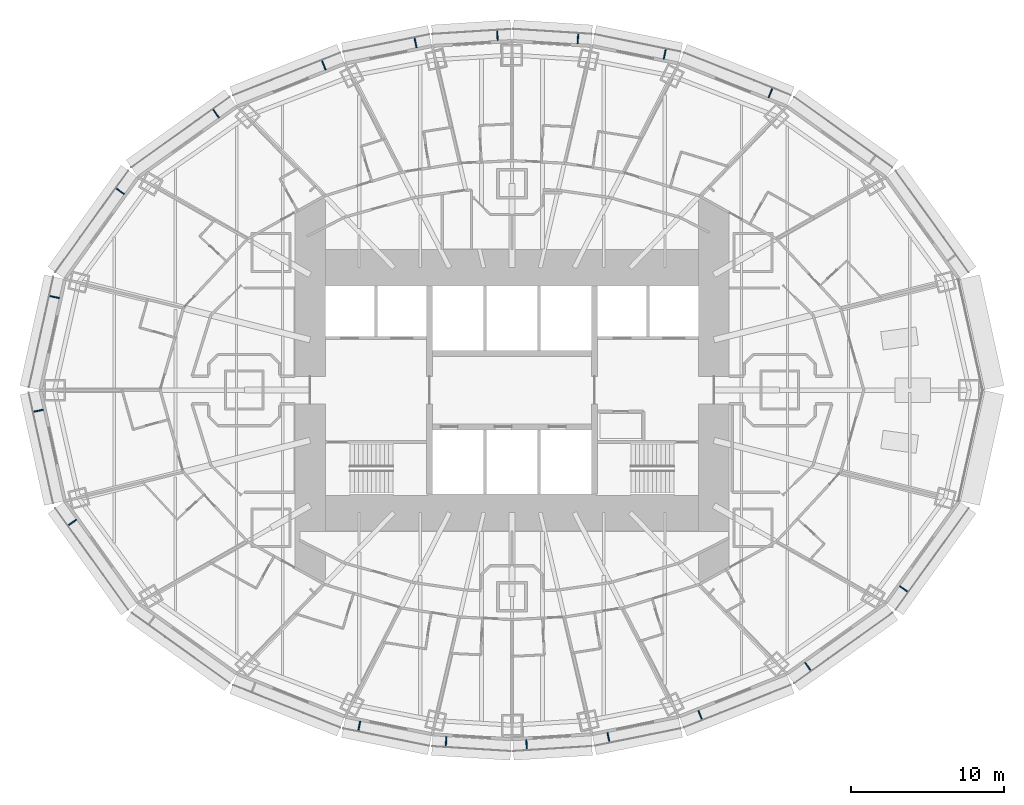
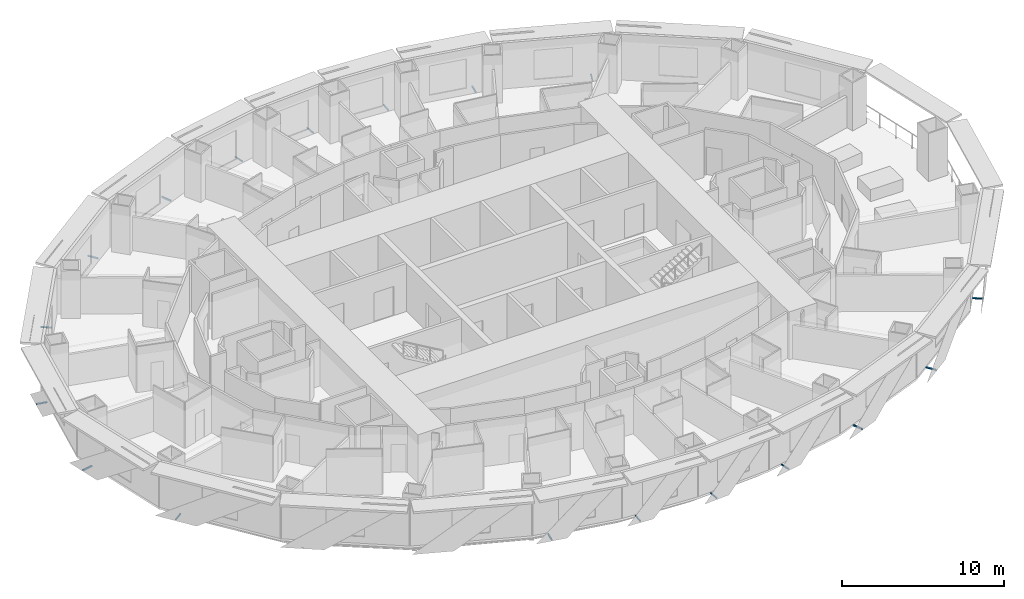
# One storey, part 12 of 17: 18 discrete accessories.
"""IFC4 building model written with IfcOpenShell, lengths in metres."""

from ifc_helpers import new_model, si_unit, direction, frame, origin, origin_2d, place, context, subcontext, project, spatial, rectangle, extrude, element, save


model = new_model("IFC4")

# Units and contexts
model_context = context("Model", 3, precision=1e-05, world=origin(), true_north=direction((0.0, 1.0)))
body_context = subcontext(model_context, "Body", "Model", "MODEL_VIEW")
ifc_project = project(units=[si_unit("LENGTHUNIT", "METRE"), si_unit("AREAUNIT", "SQUARE_METRE"), si_unit("VOLUMEUNIT", "CUBIC_METRE"), si_unit("PLANEANGLEUNIT", "RADIAN"), si_unit("MASSUNIT", "GRAM", prefix="KILO")], contexts=[model_context])

# Site, building, storey
site_placement = place(None, origin())
site = spatial("IfcSite", under=ifc_project, at=site_placement, CompositionType="ELEMENT")
building_placement = place(site_placement, origin())
building = spatial("IfcBuilding", under=site, at=building_placement, Name="Lantaw Convention Tower", CompositionType="ELEMENT")
storey_placement = place(building_placement, frame((0.0, 0.0, 69.39990234375)))
storey = spatial("IfcBuildingStorey", under=building, at=storey_placement, Name="L15", CompositionType="ELEMENT", Elevation=69.39990234375)

# Discrete accessories
for number, where, z_axis, x_axis, name in (
    (1, (16.898193359375, 19.4345703125, -0.114990234375), (0.0, 0.0, 1.0), (-0.929361152748, 0.369171840425, 0.0), "Screen bracket"),
    (2, (9.990478515625, 21.974365234375, -0.114990234375), (0.0, 0.0, 1.0), (-0.980244604501, 0.197789067813, 0.0), "Screen bracket"),
    (3, (4.310302734375, 22.987548828125, -0.114990234375), (0.0, 0.0, 1.0), (-0.998016153807, 0.062958373078, 0.0), "Screen bracket"),
    (4, (-0.9560546875, 23.19921875, -0.114990234375), (0.0, 0.0, 1.0), (-0.998016153807, -0.062958373078, 0.0), "Screen bracket"),
    (5, (-6.307861328125, 22.71728515625, -0.114990234375), (0.0, 0.0, 1.0), (-0.980244604501, -0.197789067813, 0.0), "Screen bracket"),
    (6, (-12.309814453125, 21.25732421875, -0.114990234375), (0.0, 0.0, 1.0), (-0.929361152748, -0.369171840425, 0.0), "Screen bracket"),
    (7, (-19.352294921875, 18.085205078125, -0.114990234375), (0.0, 0.0, 1.0), (-0.812803733199, -0.5825376308, 0.0), "Screen bracket"),
    (8, (-25.61962890625, 13.004638671875, -0.114990234375), (0.0, 0.0, 1.0), (-0.583951250436, -0.811788726895, 0.0), "Screen bracket"),
    (9, (-29.92333984375, 6.087890625, -0.114990234375), (0.0, 0.0, 1.0), (-0.215246056391, -0.976559847223, 0.0), "Screen bracket"),
    (10, (-30.967529296875, -1.35009765625, -0.114990234375), (0.0, 0.0, 1.0), (0.215246056391, -0.976559847223, 0.0), "Screen bracket"),
    (11, (-28.745849609375, -8.65869140625, -0.114990234375), (0.0, 0.0, 1.0), (0.583951250436, -0.811788726895, 0.0), "Screen bracket"),
    (12, (-9.990478515625, -21.974365234375, -0.114990234375), (0.0, 0.0, 1.0), (0.980244604501, -0.197789067813, 0.0), "Screen bracket"),
    (13, (-4.310302734375, -22.987548828125, -0.114990234375), (0.0, 0.0, 1.0), (0.998016153807, -0.062958373078, 0.0), "Screen bracket"),
    (14, (0.9560546875, -23.19921875, -0.114990234375), (0.0, 0.0, 1.0), (0.998016153807, 0.062958373078, 0.0), "Screen bracket"),
    (15, (6.307861328125, -22.71728515625, -0.114990234375), (0.0, 0.0, 1.0), (0.980244604501, 0.197789067813, 0.0), "Screen bracket"),
    (16, (12.309814453125, -21.25732421875, -0.114990234375), (0.0, 0.0, 1.0), (0.929361152748, 0.369171840425, 0.0), "Screen bracket"),
    (17, (19.352294921875, -18.085205078125, -0.114990234375), (0.0, 0.0, 1.0), (0.812803733199, 0.5825376308, 0.0), "Screen bracket"),
    (18, (25.61962890625, -13.004638671875, -0.114990234375), (0.0, 0.0, 1.0), (0.583951250436, 0.811788726895, 0.0), "Screen bracket"),
):
    element("IfcDiscreteAccessory", number, at=place(storey_placement, frame(where, z_axis=z_axis, x_axis=x_axis)), inside=storey, Name=name, PredefinedType="BRACKET", context=body_context, shape_type="SweptSolid", body=[
        extrude(rectangle(XDim=0.080078125, YDim=0.68798828125, at=origin_2d()), origin(), (0.0, 0.0, 1.0), 0.080078125),
    ])

save(model, "model.ifc")
